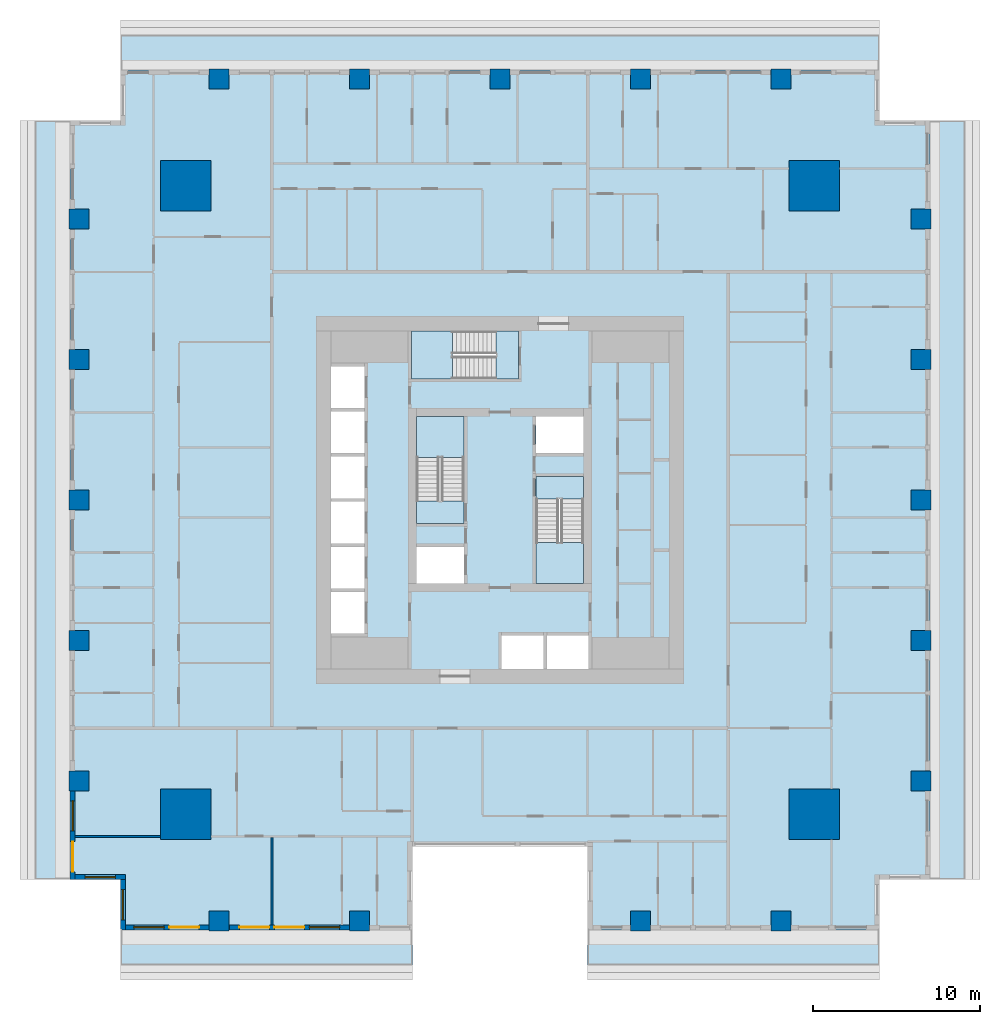
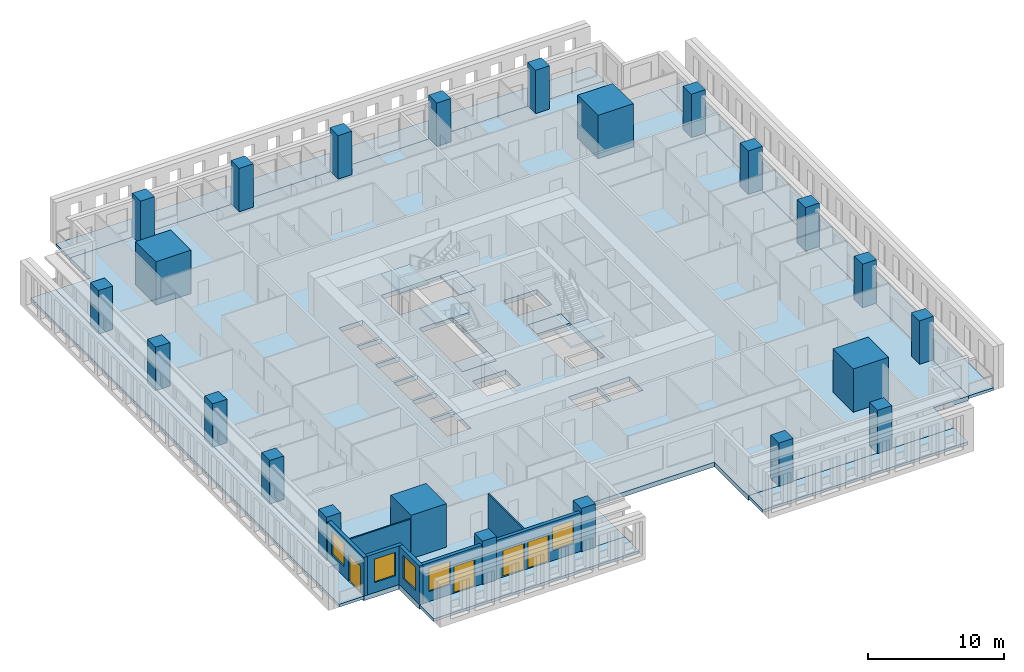
# One storey, part 1 of 15: 23 columns, 12 slabs, 7 walls, 5 windows, 4 doors, 9 openings, 3 elements without a shape of their own.
"""IFC4 building model written with IfcOpenShell, lengths in metres."""

from ifc_helpers import new_model, si_unit, direction, frame, frame_2d, origin, origin_2d, place, context, subcontext, project, spatial, polyline, rectangle, outline, extrude, material, layer, layer_set, material_profile, profile_set, type_object, element, fill, aggregate, save


model = new_model("IFC4")

# Units and contexts
model_context = context("Model", 3, precision=1e-05, world=origin(), true_north=direction((0.0, 1.0)))
body_context = subcontext(model_context, "Body", "Model", "MODEL_VIEW")
ifc_project = project(units=[si_unit("LENGTHUNIT", "METRE"), si_unit("AREAUNIT", "SQUARE_METRE"), si_unit("VOLUMEUNIT", "CUBIC_METRE"), si_unit("PLANEANGLEUNIT", "RADIAN"), si_unit("MASSUNIT", "GRAM", prefix="KILO")], contexts=[model_context])

# Site, building, storey
site_placement = place(None, origin())
site = spatial("IfcSite", under=ifc_project, at=site_placement, CompositionType="ELEMENT")
building_placement = place(site_placement, origin())
building = spatial("IfcBuilding", under=site, at=building_placement, Name="Khepri Terraces", CompositionType="ELEMENT")
storey_placement = place(building_placement, frame((0.0, 0.0, 38.699951171875)))
storey = spatial("IfcBuildingStorey", under=building, at=storey_placement, Name="L08", CompositionType="ELEMENT", Elevation=38.699951171875)

# Columns
ifc_material_1 = material(Name="Concrete C80/95", Category="concrete")
ifc_material_profile_1 = material_profile(ifc_material_1, rectangle(XDim=3.0, YDim=3.0, at=origin_2d()), Name="Concrete C80/95", Category="concrete")
ifc_profile_set_1 = profile_set([ifc_material_profile_1], Name="Concrete C80/95")
column_type_1 = type_object("IfcColumnType", Name="Mega column RC 3000x3000 C80/95", PredefinedType="COLUMN", material=ifc_profile_set_1)
for number, where, z_axis, x_axis, name in (
    (1, (18.800048828125, 18.800048828125, 0.0), (0.0, 0.0, 1.0), (1.0, 0.0, 0.0), "Mega column MEN L08"),
    (2, (18.800048828125, -18.800048828125, 0.0), (0.0, 0.0, 1.0), (1.0, 0.0, 0.0), "Mega column MES L08"),
    (3, (-18.800048828125, 18.800048828125, 0.0), (0.0, 0.0, 1.0), (1.0, 0.0, 0.0), "Mega column MWN L08"),
    (4, (-18.800048828125, -18.800048828125, 0.0), (0.0, 0.0, 1.0), (1.0, 0.0, 0.0), "Mega column MWS L08"),
):
    element("IfcColumn", number, at=place(storey_placement, frame(where, z_axis=z_axis, x_axis=x_axis)), inside=storey, type_object=column_type_1, Name=name, PredefinedType="COLUMN", context=body_context, shape_type="SweptSolid", body=[
        extrude(rectangle(XDim=3.0, YDim=3.0, at=origin_2d()), origin(), (0.0, 0.0, 1.0), 3.900146484375),
    ])
ifc_material_profile_2 = material_profile(ifc_material_1, rectangle(XDim=1.199951171875, YDim=1.199951171875, at=origin_2d()), Name="Concrete C80/95", Category="concrete")
ifc_profile_set_2 = profile_set([ifc_material_profile_2], Name="Concrete C80/95")
column_type_2 = type_object("IfcColumnType", Name="Tower column RC 1200x1200 C80/95", PredefinedType="COLUMN", material=ifc_profile_set_2)
for number, where, z_axis, x_axis, name in (
    (5, (25.199951171875, 0.0, 0.0), (0.0, 0.0, 1.0), (1.0, 0.0, 0.0), "Perimeter column PE+000a L08"),
    (6, (25.199951171875, 8.39990234375, 0.0), (0.0, 0.0, 1.0), (1.0, 0.0, 0.0), "Perimeter column PE+084a L08"),
    (7, (25.199951171875, 16.800048828125, 0.0), (0.0, 0.0, 1.0), (1.0, 0.0, 0.0), "Perimeter column PE+168a L08"),
    (8, (25.199951171875, -8.39990234375, 0.0), (0.0, 0.0, 1.0), (1.0, 0.0, 0.0), "Perimeter column PE-084a L08"),
    (9, (25.199951171875, -16.800048828125, 0.0), (0.0, 0.0, 1.0), (1.0, 0.0, 0.0), "Perimeter column PE-168a L08"),
    (10, (0.0, 25.199951171875, 0.0), (0.0, 0.0, 1.0), (1.0, 0.0, 0.0), "Perimeter column PN+000a L08"),
    (11, (-8.39990234375, 25.199951171875, 0.0), (0.0, 0.0, 1.0), (1.0, 0.0, 0.0), "Perimeter column PN+084a L08"),
    (12, (-16.800048828125, 25.199951171875, 0.0), (0.0, 0.0, 1.0), (1.0, 0.0, 0.0), "Perimeter column PN+168a L08"),
    (13, (8.39990234375, 25.199951171875, 0.0), (0.0, 0.0, 1.0), (1.0, 0.0, 0.0), "Perimeter column PN-084a L08"),
    (14, (16.800048828125, 25.199951171875, 0.0), (0.0, 0.0, 1.0), (1.0, 0.0, 0.0), "Perimeter column PN-168a L08"),
    (15, (8.39990234375, -25.199951171875, 0.0), (0.0, 0.0, 1.0), (1.0, 0.0, 0.0), "Perimeter column PS+084a L08"),
    (16, (16.800048828125, -25.199951171875, 0.0), (0.0, 0.0, 1.0), (1.0, 0.0, 0.0), "Perimeter column PS+168a L08"),
    (17, (-8.39990234375, -25.199951171875, 0.0), (0.0, 0.0, 1.0), (1.0, 0.0, 0.0), "Perimeter column PS-084a L08"),
    (18, (-16.800048828125, -25.199951171875, 0.0), (0.0, 0.0, 1.0), (1.0, 0.0, 0.0), "Perimeter column PS-168a L08"),
    (19, (-25.199951171875, 0.0, 0.0), (0.0, 0.0, 1.0), (1.0, 0.0, 0.0), "Perimeter column PW+000a L08"),
    (20, (-25.199951171875, -8.39990234375, 0.0), (0.0, 0.0, 1.0), (1.0, 0.0, 0.0), "Perimeter column PW+084a L08"),
    (21, (-25.199951171875, -16.800048828125, 0.0), (0.0, 0.0, 1.0), (1.0, 0.0, 0.0), "Perimeter column PW+168a L08"),
    (22, (-25.199951171875, 8.39990234375, 0.0), (0.0, 0.0, 1.0), (1.0, 0.0, 0.0), "Perimeter column PW-084a L08"),
    (23, (-25.199951171875, 16.800048828125, 0.0), (0.0, 0.0, 1.0), (1.0, 0.0, 0.0), "Perimeter column PW-168a L08"),
):
    element("IfcColumn", number, at=place(storey_placement, frame(where, z_axis=z_axis, x_axis=x_axis)), inside=storey, type_object=column_type_2, Name=name, PredefinedType="COLUMN", context=body_context, shape_type="SweptSolid", body=[
        extrude(rectangle(XDim=1.199951171875, YDim=1.199951171875, at=origin_2d()), origin(), (0.0, 0.0, 1.0), 3.900146484375),
    ])

# Slabs
ifc_material_2 = material(Name="Concrete C40/50", Category="concrete")
ifc_layer_1 = layer(ifc_material_2, 0.419921875, Name="Concrete C40/50", Category="concrete")
ifc_layer_set_1 = layer_set([ifc_layer_1], Name="Concrete C40/50")
slab_type_1 = type_object("IfcSlabType", Name="Flat plate 420", PredefinedType="FLOOR", material=ifc_layer_set_1)
slab_1_placement = place(storey_placement, frame((0.0, 0.0, -0.419921875)))
element("IfcSlab", 24, at=slab_1_placement, inside=storey, type_object=slab_type_1, Name="Floor slab F01 L08", PredefinedType="FLOOR", context=body_context, shape_type="SweptSolid", body=[
    extrude(outline(polyline([(22.719970703125, 22.719970703125), (25.719970703125, 22.719970703125), (25.719970703125, -22.719970703125), (22.719970703125, -22.719970703125), (22.719970703125, -25.719970703125), (5.25, -25.719970703125), (5.25, -20.719970703125), (-5.25, -20.719970703125), (-5.25, -25.719970703125), (-22.719970703125, -25.719970703125), (-22.719970703125, -22.719970703125), (-25.719970703125, -22.719970703125), (-25.719970703125, 22.719970703125), (-22.719970703125, 22.719970703125), (-22.719970703125, 25.719970703125), (22.719970703125, 25.719970703125), (22.719970703125, 22.719970703125)]), holes=[polyline([(5.0, 5.0), (2.14990234375, 5.0), (2.14990234375, 2.800048828125), (5.0, 2.800048828125), (5.0, 5.0)]), polyline([(-2.14990234375, -5.0), (-2.14990234375, -2.800048828125), (-5.0, -2.800048828125), (-5.0, -5.0), (-2.14990234375, -5.0)]), polyline([(-10.10009765625, -8.0), (-8.10009765625, -8.0), (-8.10009765625, -5.5), (-10.10009765625, -5.5), (-10.10009765625, -8.0)]), polyline([(-10.10009765625, -2.800048828125), (-10.10009765625, -5.300048828125), (-8.10009765625, -5.300048828125), (-8.10009765625, -2.800048828125), (-10.10009765625, -2.800048828125)]), polyline([(-8.10009765625, -0.10009765625), (-10.10009765625, -0.10009765625), (-10.10009765625, -2.60009765625), (-8.10009765625, -2.60009765625), (-8.10009765625, -0.10009765625)]), polyline([(-8.10009765625, 0.10009765625), (-8.10009765625, 2.60009765625), (-10.10009765625, 2.60009765625), (-10.10009765625, 0.10009765625), (-8.10009765625, 0.10009765625)]), polyline([(-10.10009765625, 2.800048828125), (-8.10009765625, 2.800048828125), (-8.10009765625, 5.300048828125), (-10.10009765625, 5.300048828125), (-10.10009765625, 2.800048828125)]), polyline([(-10.10009765625, 8.0), (-10.10009765625, 5.5), (-8.10009765625, 5.5), (-8.10009765625, 8.0), (-10.10009765625, 8.0)]), polyline([(2.60009765625, -8.10009765625), (0.10009765625, -8.10009765625), (0.10009765625, -10.10009765625), (2.60009765625, -10.10009765625), (2.60009765625, -8.10009765625)]), polyline([(5.300048828125, -10.10009765625), (5.300048828125, -8.10009765625), (2.800048828125, -8.10009765625), (2.800048828125, -10.10009765625), (5.300048828125, -10.10009765625)]), polyline([(-5.0, -1.39990234375), (-2.14990234375, -1.39990234375), (-2.14990234375, 5.0), (-5.0, 5.0), (-5.0, -1.39990234375)]), polyline([(5.0, -5.0), (5.0, 1.39990234375), (2.14990234375, 1.39990234375), (2.14990234375, -5.0), (5.0, -5.0)]), polyline([(-5.300048828125, 10.10009765625), (-5.300048828125, 7.25), (1.10009765625, 7.25), (1.10009765625, 10.10009765625), (-5.300048828125, 10.10009765625)])]), origin(), (0.0, 0.0, 1.0), 0.419921875),
])
ifc_material_3 = material(Name="Precast concrete C50/60 warm stone", Category="masonry")
ifc_layer_2 = layer(ifc_material_3, 0.25, Name="Precast concrete C50/60 warm stone", Category="masonry")
ifc_layer_set_2 = layer_set([ifc_layer_2], Name="Precast concrete C50/60 warm stone")
slab_type_2 = type_object("IfcSlabType", Name="SLB-BALCONY-250", PredefinedType="FLOOR", material=ifc_layer_set_2)
slab_2_placement = place(storey_placement, frame((0.0, 0.0, -0.25)))
element("IfcSlab", 25, at=slab_2_placement, inside=storey, type_object=slab_type_2, Name="Balcony slab L08 S", PredefinedType="FLOOR", context=body_context, shape_type="SweptSolid", body=[
    extrude(outline(polyline([(-17.39990234375, -25.719970703125), (-22.719970703125, -25.719970703125), (-22.719970703125, -27.820068359375), (-5.25, -27.820068359375), (-5.25, -25.719970703125), (-7.800048828125, -25.719970703125), (-7.800048828125, -25.800048828125), (-9.0, -25.800048828125), (-9.0, -25.719970703125), (-16.199951171875, -25.719970703125), (-16.199951171875, -25.800048828125), (-17.39990234375, -25.800048828125), (-17.39990234375, -25.719970703125)])), origin(), (0.0, 0.0, 1.0), 0.25),
])
slab_3_placement = place(storey_placement, frame((0.0, 0.0, -0.25)))
element("IfcSlab", 26, at=slab_3_placement, inside=storey, type_object=slab_type_2, Name="Balcony slab L08 S", PredefinedType="FLOOR", context=body_context, shape_type="SweptSolid", body=[
    extrude(outline(polyline([(7.800048828125, -25.719970703125), (5.25, -25.719970703125), (5.25, -27.820068359375), (22.719970703125, -27.820068359375), (22.719970703125, -25.719970703125), (17.39990234375, -25.719970703125), (17.39990234375, -25.800048828125), (16.199951171875, -25.800048828125), (16.199951171875, -25.719970703125), (9.0, -25.719970703125), (9.0, -25.800048828125), (7.800048828125, -25.800048828125), (7.800048828125, -25.719970703125)])), origin(), (0.0, 0.0, 1.0), 0.25),
])
slab_4_placement = place(storey_placement, frame((0.0, 0.0, -0.25)))
element("IfcSlab", 27, at=slab_4_placement, inside=storey, type_object=slab_type_2, Name="Balcony slab L08 E", PredefinedType="FLOOR", context=body_context, shape_type="SweptSolid", body=[
    extrude(outline(polyline([(25.719970703125, -17.39990234375), (25.719970703125, -22.719970703125), (27.820068359375, -22.719970703125), (27.820068359375, 22.719970703125), (25.719970703125, 22.719970703125), (25.719970703125, 17.39990234375), (25.800048828125, 17.39990234375), (25.800048828125, 16.199951171875), (25.719970703125, 16.199951171875), (25.719970703125, 9.0), (25.800048828125, 9.0), (25.800048828125, 7.800048828125), (25.719970703125, 7.800048828125), (25.719970703125, 0.60009765625), (25.800048828125, 0.60009765625), (25.800048828125, -0.60009765625), (25.719970703125, -0.60009765625), (25.719970703125, -7.800048828125), (25.800048828125, -7.800048828125), (25.800048828125, -9.0), (25.719970703125, -9.0), (25.719970703125, -16.199951171875), (25.800048828125, -16.199951171875), (25.800048828125, -17.39990234375), (25.719970703125, -17.39990234375)])), origin(), (0.0, 0.0, 1.0), 0.25),
])
slab_5_placement = place(storey_placement, frame((0.0, 0.0, -0.25)))
element("IfcSlab", 28, at=slab_5_placement, inside=storey, type_object=slab_type_2, Name="Balcony slab L08 N", PredefinedType="FLOOR", context=body_context, shape_type="SweptSolid", body=[
    extrude(outline(polyline([(17.39990234375, 25.719970703125), (22.719970703125, 25.719970703125), (22.719970703125, 27.820068359375), (-22.719970703125, 27.820068359375), (-22.719970703125, 25.719970703125), (-17.39990234375, 25.719970703125), (-17.39990234375, 25.800048828125), (-16.199951171875, 25.800048828125), (-16.199951171875, 25.719970703125), (-9.0, 25.719970703125), (-9.0, 25.800048828125), (-7.800048828125, 25.800048828125), (-7.800048828125, 25.719970703125), (-0.60009765625, 25.719970703125), (-0.60009765625, 25.800048828125), (0.60009765625, 25.800048828125), (0.60009765625, 25.719970703125), (7.800048828125, 25.719970703125), (7.800048828125, 25.800048828125), (9.0, 25.800048828125), (9.0, 25.719970703125), (16.199951171875, 25.719970703125), (16.199951171875, 25.800048828125), (17.39990234375, 25.800048828125), (17.39990234375, 25.719970703125)])), origin(), (0.0, 0.0, 1.0), 0.25),
])
slab_6_placement = place(storey_placement, frame((0.0, 0.0, -0.25)))
element("IfcSlab", 29, at=slab_6_placement, inside=storey, type_object=slab_type_2, Name="Balcony slab L08 W", PredefinedType="FLOOR", context=body_context, shape_type="SweptSolid", body=[
    extrude(outline(polyline([(-25.719970703125, 17.39990234375), (-25.719970703125, 22.719970703125), (-27.820068359375, 22.719970703125), (-27.820068359375, -22.719970703125), (-25.719970703125, -22.719970703125), (-25.719970703125, -17.39990234375), (-25.800048828125, -17.39990234375), (-25.800048828125, -16.199951171875), (-25.719970703125, -16.199951171875), (-25.719970703125, -9.0), (-25.800048828125, -9.0), (-25.800048828125, -7.800048828125), (-25.719970703125, -7.800048828125), (-25.719970703125, -0.60009765625), (-25.800048828125, -0.60009765625), (-25.800048828125, 0.60009765625), (-25.719970703125, 0.60009765625), (-25.719970703125, 7.800048828125), (-25.800048828125, 7.800048828125), (-25.800048828125, 9.0), (-25.719970703125, 9.0), (-25.719970703125, 16.199951171875), (-25.800048828125, 16.199951171875), (-25.800048828125, 17.39990234375), (-25.719970703125, 17.39990234375)])), origin(), (0.0, 0.0, 1.0), 0.25),
])

# Stair, slabs
stair_type = type_object("IfcStairType", Name="STAIR-RC-22R", PredefinedType="HALF_TURN_STAIR", material=ifc_material_2)
stair_1_placement = place(storey_placement, origin())
stair_1 = element("IfcStair", 30, at=stair_1_placement, inside=storey, type_object=stair_type, Name="L08 Exit Stair ST-1", PredefinedType="HALF_TURN_STAIR")
ifc_layer_3 = layer(ifc_material_2, 0.199951171875, Name="Concrete C40/50", Category="concrete")
ifc_layer_set_3 = layer_set([ifc_layer_3], Name="Concrete C40/50")
slab_type_3 = type_object("IfcSlabType", Name="SLB-CORE-LANDING", PredefinedType="LANDING", material=ifc_layer_set_3)
slab_7_placement = place(storey_placement, frame((0.0, 0.0, -0.199951171875)))
slab_7 = element("IfcSlab", 31, at=slab_7_placement, type_object=slab_type_3, Name="ST-1 landing 1", PredefinedType="LANDING", context=body_context, shape_type="SweptSolid", body=[
    extrude(outline(polyline([(-2.14990234375, -1.39990234375), (-2.14990234375, -0.050048828125), (-5.0, -0.050048828125), (-5.0, -1.39990234375), (-2.14990234375, -1.39990234375)])), origin(), (0.0, 0.0, 1.0), 0.199951171875),
])
slab_8_placement = place(storey_placement, frame((0.0, 0.0, 1.75)))
slab_8 = element("IfcSlab", 32, at=slab_8_placement, type_object=slab_type_3, Name="ST-1 landing 2", PredefinedType="LANDING", context=body_context, shape_type="SweptSolid", body=[
    extrude(outline(polyline([(-2.14990234375, 2.550048828125), (-2.14990234375, 5.0), (-5.0, 5.0), (-5.0, 2.550048828125), (-2.14990234375, 2.550048828125)])), origin(), (0.0, 0.0, 1.0), 0.199951171875),
])
aggregate(stair_1, [slab_7, slab_8])

stair_2_placement = place(storey_placement, origin())
stair_2 = element("IfcStair", 33, at=stair_2_placement, inside=storey, type_object=stair_type, Name="L08 Exit Stair ST-2", PredefinedType="HALF_TURN_STAIR")
slab_9_placement = place(storey_placement, frame((0.0, 0.0, -0.199951171875)))
slab_9 = element("IfcSlab", 34, at=slab_9_placement, type_object=slab_type_3, Name="ST-2 landing 1", PredefinedType="LANDING", context=body_context, shape_type="SweptSolid", body=[
    extrude(outline(polyline([(2.14990234375, 1.39990234375), (2.14990234375, 0.050048828125), (5.0, 0.050048828125), (5.0, 1.39990234375), (2.14990234375, 1.39990234375)])), origin(), (0.0, 0.0, 1.0), 0.199951171875),
])
slab_10_placement = place(storey_placement, frame((0.0, 0.0, 1.75)))
slab_10 = element("IfcSlab", 35, at=slab_10_placement, type_object=slab_type_3, Name="ST-2 landing 2", PredefinedType="LANDING", context=body_context, shape_type="SweptSolid", body=[
    extrude(outline(polyline([(2.14990234375, -2.550048828125), (2.14990234375, -5.0), (5.0, -5.0), (5.0, -2.550048828125), (2.14990234375, -2.550048828125)])), origin(), (0.0, 0.0, 1.0), 0.199951171875),
])
aggregate(stair_2, [slab_9, slab_10])

stair_3_placement = place(storey_placement, origin())
stair_3 = element("IfcStair", 36, at=stair_3_placement, inside=storey, type_object=stair_type, Name="L08 Exit Stair ST-3", PredefinedType="HALF_TURN_STAIR")
slab_11_placement = place(storey_placement, frame((0.0, 0.0, -0.199951171875)))
slab_11 = element("IfcSlab", 37, at=slab_11_placement, type_object=slab_type_3, Name="ST-3 landing 1", PredefinedType="LANDING", context=body_context, shape_type="SweptSolid", body=[
    extrude(outline(polyline([(1.10009765625, 10.10009765625), (-0.25, 10.10009765625), (-0.25, 7.25), (1.10009765625, 7.25), (1.10009765625, 10.10009765625)])), origin(), (0.0, 0.0, 1.0), 0.199951171875),
])
slab_12_placement = place(storey_placement, frame((0.0, 0.0, 1.75)))
slab_12 = element("IfcSlab", 38, at=slab_12_placement, type_object=slab_type_3, Name="ST-3 landing 2", PredefinedType="LANDING", context=body_context, shape_type="SweptSolid", body=[
    extrude(outline(polyline([(-2.85009765625, 10.10009765625), (-5.300048828125, 10.10009765625), (-5.300048828125, 7.25), (-2.85009765625, 7.25), (-2.85009765625, 10.10009765625)])), origin(), (0.0, 0.0, 1.0), 0.199951171875),
])
aggregate(stair_3, [slab_11, slab_12])

# Wall, openings, door, window
ifc_layer_4 = layer(ifc_material_3, 0.300048828125, Name="Precast concrete C50/60 warm stone", Category="masonry")
ifc_layer_set_4 = layer_set([ifc_layer_4], Name="Precast concrete C50/60 warm stone")
wall_type_1 = type_object("IfcWallType", Name="WL-EXT-PRECAST-300", PredefinedType="STANDARD", material=ifc_layer_set_4)
wall_1_placement = place(storey_placement, frame((-25.570068359375, -17.39990234375, 0.0), z_axis=(0.0, 0.0, 1.0), x_axis=(0.0, -1.0, 0.0)))
wall_1 = element("IfcWall", 39, at=wall_1_placement, inside=storey, type_object=wall_type_1, Name="External wall L08 W", PredefinedType="STANDARD", context=body_context, shape_type="SweptSolid", body=[
    extrude(rectangle(XDim=5.320068359375, YDim=0.300048828125, at=frame_2d((2.66015625, 0.0))), origin(), (0.0, 0.0, 1.0), 3.47998046875),
])
opening_1_placement = place(wall_1_placement, frame((0.60009765625, 0.0, 0.89990234375)))
opening_1 = element("IfcOpeningElement", 40, at=opening_1_placement, cuts=wall_1, Name="Opening W1", PredefinedType="OPENING", context=body_context, shape_type="SweptSolid", body=[
    extrude(rectangle(XDim=1.800048828125, YDim=2.10009765625, at=frame_2d((0.89990234375, 1.050048828125))), frame((0.0, 0.16015625, 0.0), z_axis=(0.0, -1.0, 0.0), x_axis=(1.0, 0.0, 0.0)), (0.0, 0.0, 1.0), 0.320068359375),
])
opening_2_placement = place(wall_1_placement, frame((3.044921875, 0.0, 0.0)))
opening_2 = element("IfcOpeningElement", 41, at=opening_2_placement, cuts=wall_1, Name="Opening ED-L08-18", PredefinedType="OPENING", context=body_context, shape_type="SweptSolid", body=[
    extrude(rectangle(XDim=1.800048828125, YDim=2.39990234375, at=frame_2d((0.89990234375, 1.199951171875))), frame((0.0, 0.16015625, 0.0), z_axis=(0.0, -1.0, 0.0), x_axis=(1.0, 0.0, 0.0)), (0.0, 0.0, 1.0), 0.320068359375),
])
ifc_material_4 = material(Name="Anodised aluminium bronze glazed door", Category="aluminium")
door_type = type_object("IfcDoorType", Name="DR-BAL-SLIDE-1800x2400", OperationType="NOTDEFINED", PredefinedType="DOOR", material=ifc_material_4)
door_1_placement = place(opening_2_placement, origin())
door_1 = element("IfcDoor", 42, at=door_1_placement, inside=storey, type_object=door_type, Name="Balcony door L08 W", OperationType="SLIDING_TO_RIGHT", OverallHeight=2.39990234375, OverallWidth=1.800048828125, PredefinedType="DOOR", context=body_context, shape_type="SweptSolid", body=[
    extrude(rectangle(XDim=1.800048828125, YDim=2.39990234375, at=frame_2d((0.89990234375, 1.199951171875))), frame((0.0, 0.02490234375, 0.0), z_axis=(0.0, -1.0, 0.0), x_axis=(1.0, 0.0, 0.0)), (0.0, 0.0, 1.0), 0.050048828125),
])
fill(opening_2, door_1)
ifc_material_5 = material(Name="Clear glass", Category="glass")
window_type = type_object("IfcWindowType", Name="WIN-RES-1800x2100", PartitioningType="SINGLE_PANEL", PredefinedType="WINDOW", material=ifc_material_5)
window_1_placement = place(opening_1_placement, origin())
window_1 = element("IfcWindow", 43, at=window_1_placement, inside=storey, type_object=window_type, Name="Window L08 W", OverallHeight=2.10009765625, OverallWidth=1.800048828125, PartitioningType="SINGLE_PANEL", PredefinedType="WINDOW", context=body_context, shape_type="SweptSolid", body=[
    extrude(rectangle(XDim=1.800048828125, YDim=2.10009765625, at=frame_2d((0.89990234375, 1.050048828125))), frame((0.0, 0.030029296875, 0.0), z_axis=(0.0, -1.0, 0.0), x_axis=(1.0, 0.0, 0.0)), (0.0, 0.0, 1.0), 0.06005859375),
])
fill(opening_1, window_1)

# Wall, opening, window
wall_2_placement = place(storey_placement, frame((-25.419921875, -22.570068359375, 0.0), z_axis=(0.0, 0.0, 1.0), x_axis=(1.0, 0.0, 0.0)))
wall_2 = element("IfcWall", 44, at=wall_2_placement, inside=storey, type_object=wall_type_1, Name="External wall L08 S", PredefinedType="STANDARD", context=body_context, shape_type="SweptSolid", body=[
    extrude(rectangle(XDim=3.0, YDim=0.300048828125, at=frame_2d((1.5, 0.0))), origin(), (0.0, 0.0, 1.0), 3.47998046875),
])
opening_3_placement = place(wall_2_placement, frame((0.60009765625, 0.0, 0.89990234375)))
opening_3 = element("IfcOpeningElement", 45, at=opening_3_placement, cuts=wall_2, Name="Opening W1", PredefinedType="OPENING", context=body_context, shape_type="SweptSolid", body=[
    extrude(rectangle(XDim=1.800048828125, YDim=2.10009765625, at=frame_2d((0.89990234375, 1.050048828125))), frame((0.0, 0.16015625, 0.0), z_axis=(0.0, -1.0, 0.0), x_axis=(1.0, 0.0, 0.0)), (0.0, 0.0, 1.0), 0.320068359375),
])
window_2_placement = place(opening_3_placement, origin())
window_2 = element("IfcWindow", 46, at=window_2_placement, inside=storey, type_object=window_type, Name="Window L08 S", OverallHeight=2.10009765625, OverallWidth=1.800048828125, PartitioningType="SINGLE_PANEL", PredefinedType="WINDOW", context=body_context, shape_type="SweptSolid", body=[
    extrude(rectangle(XDim=1.800048828125, YDim=2.10009765625, at=frame_2d((0.89990234375, 1.050048828125))), frame((0.0, 0.030029296875, 0.0), z_axis=(0.0, -1.0, 0.0), x_axis=(1.0, 0.0, 0.0)), (0.0, 0.0, 1.0), 0.06005859375),
])
fill(opening_3, window_2)

wall_3_placement = place(storey_placement, frame((-22.570068359375, -22.719970703125, 0.0), z_axis=(0.0, 0.0, 1.0), x_axis=(0.0, -1.0, 0.0)))
wall_3 = element("IfcWall", 47, at=wall_3_placement, inside=storey, type_object=wall_type_1, Name="External wall L08 W", PredefinedType="STANDARD", context=body_context, shape_type="SweptSolid", body=[
    extrude(rectangle(XDim=3.0, YDim=0.300048828125, at=frame_2d((1.5, 0.0))), origin(), (0.0, 0.0, 1.0), 3.47998046875),
])
opening_4_placement = place(wall_3_placement, frame((0.60009765625, 0.0, 0.89990234375)))
opening_4 = element("IfcOpeningElement", 48, at=opening_4_placement, cuts=wall_3, Name="Opening W1", PredefinedType="OPENING", context=body_context, shape_type="SweptSolid", body=[
    extrude(rectangle(XDim=1.800048828125, YDim=2.10009765625, at=frame_2d((0.89990234375, 1.050048828125))), frame((0.0, 0.16015625, 0.0), z_axis=(0.0, -1.0, 0.0), x_axis=(1.0, 0.0, 0.0)), (0.0, 0.0, 1.0), 0.320068359375),
])
window_3_placement = place(opening_4_placement, origin())
window_3 = element("IfcWindow", 49, at=window_3_placement, inside=storey, type_object=window_type, Name="Window L08 W", OverallHeight=2.10009765625, OverallWidth=1.800048828125, PartitioningType="SINGLE_PANEL", PredefinedType="WINDOW", context=body_context, shape_type="SweptSolid", body=[
    extrude(rectangle(XDim=1.800048828125, YDim=2.10009765625, at=frame_2d((0.89990234375, 1.050048828125))), frame((0.0, 0.030029296875, 0.0), z_axis=(0.0, -1.0, 0.0), x_axis=(1.0, 0.0, 0.0)), (0.0, 0.0, 1.0), 0.06005859375),
])
fill(opening_4, window_3)

# Wall, openings, door, window
wall_4_placement = place(storey_placement, frame((-22.419921875, -25.570068359375, 0.0), z_axis=(0.0, 0.0, 1.0), x_axis=(1.0, 0.0, 0.0)))
wall_4 = element("IfcWall", 50, at=wall_4_placement, inside=storey, type_object=wall_type_1, Name="External wall L08 S", PredefinedType="STANDARD", context=body_context, shape_type="SweptSolid", body=[
    extrude(rectangle(XDim=5.02001953125, YDim=0.300048828125, at=frame_2d((2.510009765625, 0.0))), origin(), (0.0, 0.0, 1.0), 3.47998046875),
])
opening_5_placement = place(wall_4_placement, frame((0.52001953125, 0.0, 0.89990234375)))
opening_5 = element("IfcOpeningElement", 51, at=opening_5_placement, cuts=wall_4, Name="Opening W1", PredefinedType="OPENING", context=body_context, shape_type="SweptSolid", body=[
    extrude(rectangle(XDim=1.800048828125, YDim=2.10009765625, at=frame_2d((0.89990234375, 1.050048828125))), frame((0.0, 0.16015625, 0.0), z_axis=(0.0, -1.0, 0.0), x_axis=(1.0, 0.0, 0.0)), (0.0, 0.0, 1.0), 0.320068359375),
])
opening_6_placement = place(wall_4_placement, frame((2.6201171875, 0.0, 0.0)))
opening_6 = element("IfcOpeningElement", 52, at=opening_6_placement, cuts=wall_4, Name="Opening ED-L08-19", PredefinedType="OPENING", context=body_context, shape_type="SweptSolid", body=[
    extrude(rectangle(XDim=1.800048828125, YDim=2.39990234375, at=frame_2d((0.89990234375, 1.199951171875))), frame((0.0, 0.16015625, 0.0), z_axis=(0.0, -1.0, 0.0), x_axis=(1.0, 0.0, 0.0)), (0.0, 0.0, 1.0), 0.320068359375),
])
door_2_placement = place(opening_6_placement, origin())
door_2 = element("IfcDoor", 53, at=door_2_placement, inside=storey, type_object=door_type, Name="Balcony door L08 S", OperationType="SLIDING_TO_RIGHT", OverallHeight=2.39990234375, OverallWidth=1.800048828125, PredefinedType="DOOR", context=body_context, shape_type="SweptSolid", body=[
    extrude(rectangle(XDim=1.800048828125, YDim=2.39990234375, at=frame_2d((0.89990234375, 1.199951171875))), frame((0.0, 0.02490234375, 0.0), z_axis=(0.0, -1.0, 0.0), x_axis=(1.0, 0.0, 0.0)), (0.0, 0.0, 1.0), 0.050048828125),
])
fill(opening_6, door_2)
window_4_placement = place(opening_5_placement, origin())
window_4 = element("IfcWindow", 54, at=window_4_placement, inside=storey, type_object=window_type, Name="Window L08 S", OverallHeight=2.10009765625, OverallWidth=1.800048828125, PartitioningType="SINGLE_PANEL", PredefinedType="WINDOW", context=body_context, shape_type="SweptSolid", body=[
    extrude(rectangle(XDim=1.800048828125, YDim=2.10009765625, at=frame_2d((0.89990234375, 1.050048828125))), frame((0.0, 0.030029296875, 0.0), z_axis=(0.0, -1.0, 0.0), x_axis=(1.0, 0.0, 0.0)), (0.0, 0.0, 1.0), 0.06005859375),
])
fill(opening_5, window_4)

# Wall, openings, doors, window
wall_5_placement = place(storey_placement, frame((-16.199951171875, -25.570068359375, 0.0), z_axis=(0.0, 0.0, 1.0), x_axis=(1.0, 0.0, 0.0)))
wall_5 = element("IfcWall", 55, at=wall_5_placement, inside=storey, type_object=wall_type_1, Name="External wall L08 S", PredefinedType="STANDARD", context=body_context, shape_type="SweptSolid", body=[
    extrude(rectangle(XDim=7.199951171875, YDim=0.300048828125, at=frame_2d((3.60009765625, 0.0))), origin(), (0.0, 0.0, 1.0), 3.47998046875),
])
opening_7_placement = place(wall_5_placement, frame((0.60009765625, 0.0, 0.0)))
opening_7 = element("IfcOpeningElement", 56, at=opening_7_placement, cuts=wall_5, Name="Opening ED-L08-20", PredefinedType="OPENING", context=body_context, shape_type="SweptSolid", body=[
    extrude(rectangle(XDim=1.800048828125, YDim=2.39990234375, at=frame_2d((0.89990234375, 1.199951171875))), frame((0.0, 0.16015625, 0.0), z_axis=(0.0, -1.0, 0.0), x_axis=(1.0, 0.0, 0.0)), (0.0, 0.0, 1.0), 0.320068359375),
])
opening_8_placement = place(wall_5_placement, frame((2.699951171875, 0.0, 0.0)))
opening_8 = element("IfcOpeningElement", 57, at=opening_8_placement, cuts=wall_5, Name="Opening ED-L08-21", PredefinedType="OPENING", context=body_context, shape_type="SweptSolid", body=[
    extrude(rectangle(XDim=1.800048828125, YDim=2.39990234375, at=frame_2d((0.89990234375, 1.199951171875))), frame((0.0, 0.16015625, 0.0), z_axis=(0.0, -1.0, 0.0), x_axis=(1.0, 0.0, 0.0)), (0.0, 0.0, 1.0), 0.320068359375),
])
opening_9_placement = place(wall_5_placement, frame((4.800048828125, 0.0, 0.89990234375)))
opening_9 = element("IfcOpeningElement", 58, at=opening_9_placement, cuts=wall_5, Name="Opening W1", PredefinedType="OPENING", context=body_context, shape_type="SweptSolid", body=[
    extrude(rectangle(XDim=1.800048828125, YDim=2.10009765625, at=frame_2d((0.89990234375, 1.050048828125))), frame((0.0, 0.16015625, 0.0), z_axis=(0.0, -1.0, 0.0), x_axis=(1.0, 0.0, 0.0)), (0.0, 0.0, 1.0), 0.320068359375),
])
door_3_placement = place(opening_7_placement, origin())
door_3 = element("IfcDoor", 59, at=door_3_placement, inside=storey, type_object=door_type, Name="Balcony door L08 S", OperationType="SLIDING_TO_LEFT", OverallHeight=2.39990234375, OverallWidth=1.800048828125, PredefinedType="DOOR", context=body_context, shape_type="SweptSolid", body=[
    extrude(rectangle(XDim=1.800048828125, YDim=2.39990234375, at=frame_2d((0.89990234375, 1.199951171875))), frame((0.0, 0.02490234375, 0.0), z_axis=(0.0, -1.0, 0.0), x_axis=(1.0, 0.0, 0.0)), (0.0, 0.0, 1.0), 0.050048828125),
])
fill(opening_7, door_3)
door_4_placement = place(opening_8_placement, origin())
door_4 = element("IfcDoor", 60, at=door_4_placement, inside=storey, type_object=door_type, Name="Balcony door L08 S", OperationType="SLIDING_TO_RIGHT", OverallHeight=2.39990234375, OverallWidth=1.800048828125, PredefinedType="DOOR", context=body_context, shape_type="SweptSolid", body=[
    extrude(rectangle(XDim=1.800048828125, YDim=2.39990234375, at=frame_2d((0.89990234375, 1.199951171875))), frame((0.0, 0.02490234375, 0.0), z_axis=(0.0, -1.0, 0.0), x_axis=(1.0, 0.0, 0.0)), (0.0, 0.0, 1.0), 0.050048828125),
])
fill(opening_8, door_4)
window_5_placement = place(opening_9_placement, origin())
window_5 = element("IfcWindow", 61, at=window_5_placement, inside=storey, type_object=window_type, Name="Window L08 S", OverallHeight=2.10009765625, OverallWidth=1.800048828125, PartitioningType="SINGLE_PANEL", PredefinedType="WINDOW", context=body_context, shape_type="SweptSolid", body=[
    extrude(rectangle(XDim=1.800048828125, YDim=2.10009765625, at=frame_2d((0.89990234375, 1.050048828125))), frame((0.0, 0.030029296875, 0.0), z_axis=(0.0, -1.0, 0.0), x_axis=(1.0, 0.0, 0.0)), (0.0, 0.0, 1.0), 0.06005859375),
])
fill(opening_9, window_5)

# Walls
ifc_material_6 = material(Name="Gypsum plasterboard partition")
ifc_layer_5 = layer(ifc_material_6, 0.1201171875, Name="Gypsum plasterboard partition")
ifc_layer_set_5 = layer_set([ifc_layer_5], Name="Gypsum plasterboard partition")
wall_type_2 = type_object("IfcWallType", Name="WL-PART-120", PredefinedType="PARTITIONING", material=ifc_layer_set_5)
wall_6_placement = place(storey_placement, frame((-13.64990234375, -25.419921875, 0.0), z_axis=(0.0, 0.0, 1.0), x_axis=(0.0, 1.0, 0.0)))
element("IfcWall", 62, at=wall_6_placement, inside=storey, type_object=wall_type_2, Name="Partition P-001 L08", PredefinedType="PARTITIONING", context=body_context, shape_type="SweptSolid", body=[
    extrude(rectangle(XDim=5.239990234375, YDim=0.1201171875, at=frame_2d((2.6201171875, 0.0))), origin(), (0.0, 0.0, 1.0), 3.47998046875),
])
wall_7_placement = place(storey_placement, frame((-25.419921875, -20.1201171875, 0.0), z_axis=(0.0, 0.0, 1.0), x_axis=(1.0, 0.0, 0.0)))
element("IfcWall", 63, at=wall_7_placement, inside=storey, type_object=wall_type_2, Name="Partition P-011 L08", PredefinedType="PARTITIONING", context=body_context, shape_type="SweptSolid", body=[
    extrude(rectangle(XDim=5.119873046875, YDim=0.1201171875, at=frame_2d((2.56005859375, 0.0))), origin(), (0.0, 0.0, 1.0), 3.47998046875),
])

save(model, "model.ifc")
